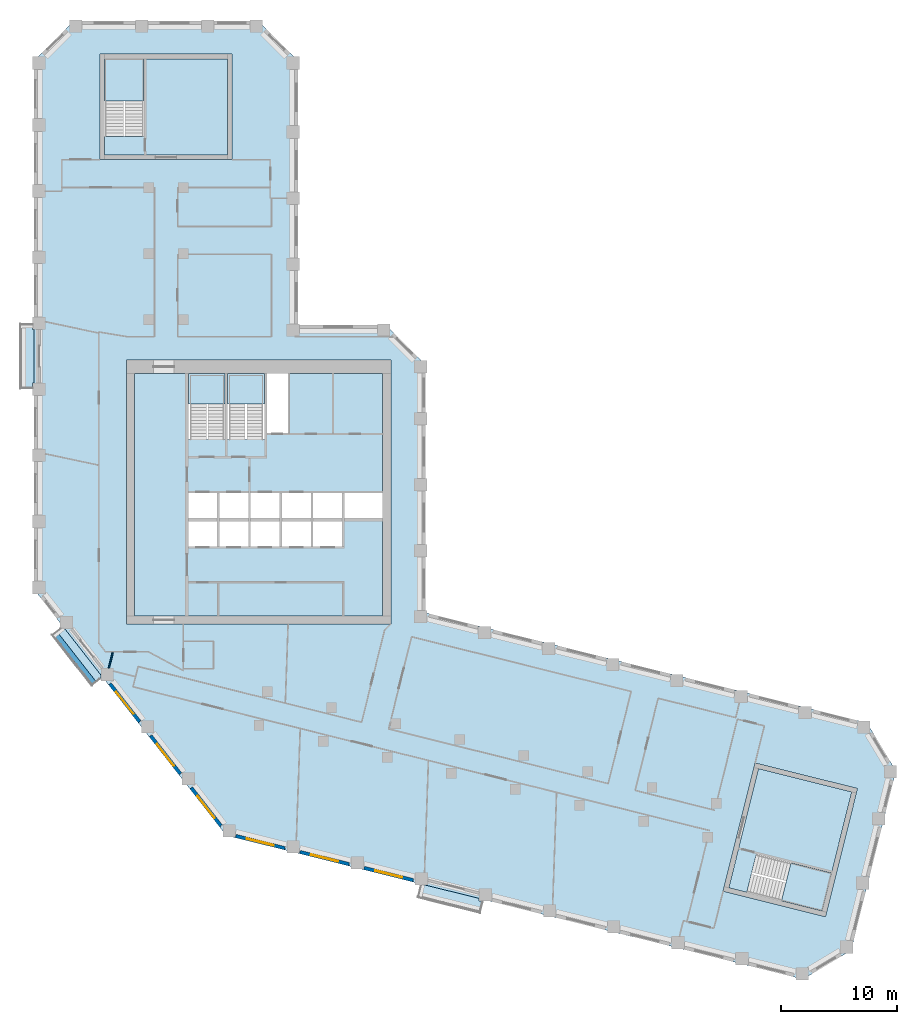
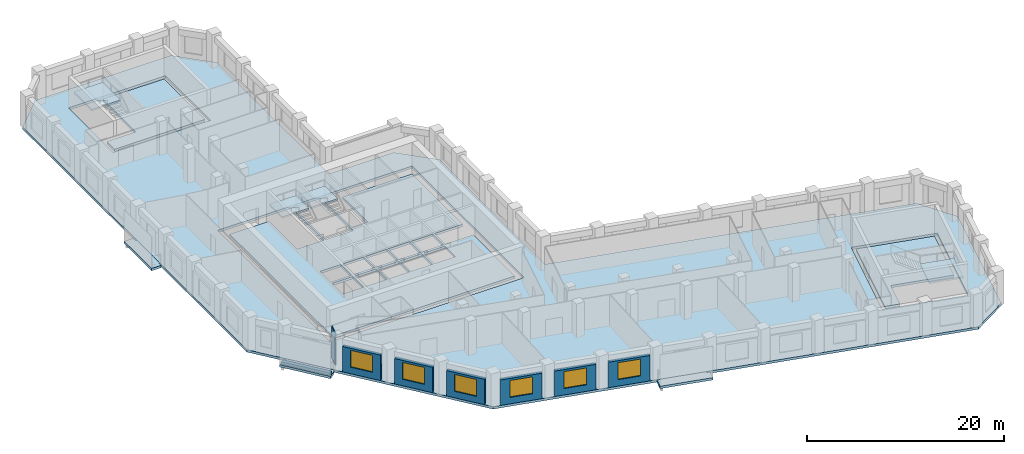
# One storey, part 2 of 10: 11 slabs, 8 walls, 6 windows, 6 openings, 4 elements without a shape of their own.
"""IFC4 building model written with IfcOpenShell, lengths in metres."""

from ifc_helpers import new_model, si_unit, direction, frame, frame_2d, origin, place, context, subcontext, project, spatial, polyline, rectangle, outline, extrude, material, layer, layer_set, type_object, element, fill, aggregate, save


model = new_model("IFC4")

# Units and contexts
model_context = context("Model", 3, precision=1e-05, world=origin(), true_north=direction((0.0, 1.0)))
body_context = subcontext(model_context, "Body", "Model", "MODEL_VIEW")
ifc_project = project(units=[si_unit("LENGTHUNIT", "METRE"), si_unit("AREAUNIT", "SQUARE_METRE"), si_unit("VOLUMEUNIT", "CUBIC_METRE"), si_unit("PLANEANGLEUNIT", "RADIAN"), si_unit("MASSUNIT", "GRAM", prefix="KILO")], contexts=[model_context])

# Site, building, storey
site_placement = place(None, origin())
site = spatial("IfcSite", under=ifc_project, at=site_placement, CompositionType="ELEMENT")
building_placement = place(site_placement, origin())
building = spatial("IfcBuilding", under=site, at=building_placement, Name="Meshkara Civic Tower", CompositionType="ELEMENT")
storey_placement = place(building_placement, frame((0.0, 0.0, 250.800048828125)))
storey = spatial("IfcBuildingStorey", under=building, at=storey_placement, Name="L57", CompositionType="ELEMENT", Elevation=250.800048828125)

# Slabs
ifc_material_1 = material(Name="Concrete C40", Category="concrete")
ifc_layer_1 = layer(ifc_material_1, 0.300048828125)
ifc_layer_set_1 = layer_set([ifc_layer_1], Name="BALCONY SLAB")
slab_type_1 = type_object("IfcSlabType", Name="BALCONY SLAB", PredefinedType="FLOOR", material=ifc_layer_set_1)
slab_1_placement = place(storey_placement, frame((0.0, 0.0, -0.300048828125)))
element("IfcSlab", 1, at=slab_1_placement, inside=storey, type_object=slab_type_1, Name="Balcony slab", PredefinedType="FLOOR", context=body_context, shape_type="SweptSolid", body=[
    extrude(outline(polyline([(-1.199951171875, 34.4150390625), (-1.199951171875, 39.9951171875), (-0.10009765625, 39.9951171875), (-0.10009765625, 39.5048828125), (0.0, 39.5048828125), (0.0, 34.905029296875), (-0.10009765625, 34.905029296875), (-0.10009765625, 34.4150390625), (-1.199951171875, 34.4150390625)])), origin(), (0.0, 0.0, 1.0), 0.300048828125),
])
slab_2_placement = place(storey_placement, frame((0.0, 0.0, -0.300048828125)))
element("IfcSlab", 2, at=slab_2_placement, inside=storey, type_object=slab_type_1, Name="Balcony slab", PredefinedType="FLOOR", context=body_context, shape_type="SweptSolid", body=[
    extrude(outline(polyline([(4.986083984375, 8.76904296875), (1.551025390625, 13.166015625), (2.263916015625, 13.722900390625), (2.263916015625, 13.678955078125), (2.673095703125, 13.678955078125), (5.77294921875, 9.7109375), (5.77294921875, 9.383056640625), (4.986083984375, 8.76904296875)])), origin(), (0.0, 0.0, 1.0), 0.300048828125),
])
slab_3_placement = place(storey_placement, frame((0.0, 0.0, -0.300048828125)))
element("IfcSlab", 3, at=slab_3_placement, inside=storey, type_object=slab_type_1, Name="Balcony slab", PredefinedType="FLOOR", context=body_context, shape_type="SweptSolid", body=[
    extrude(outline(polyline([(38.51708984375, -10.840087890625), (33.10205078125, -9.489990234375), (33.367919921875, -8.425048828125), (33.791015625, -8.425048828125), (38.424072265625, -9.580078125), (38.424072265625, -9.802978515625), (38.77490234375, -9.802978515625), (38.51708984375, -10.840087890625)])), origin(), (0.0, 0.0, 1.0), 0.300048828125),
])
ifc_material_2 = material(Name="Concrete C40/50", Category="concrete")
ifc_layer_2 = layer(ifc_material_2, 0.300048828125)
ifc_layer_set_2 = layer_set([ifc_layer_2], Name="Core floor slab 300 C40/50")
slab_type_2 = type_object("IfcSlabType", Name="Core floor slab 300 C40/50", PredefinedType="FLOOR", material=ifc_layer_set_2)
slab_4_placement = place(storey_placement, frame((0.0, 0.0, -0.300048828125)))
element("IfcSlab", 4, at=slab_4_placement, inside=storey, type_object=slab_type_2, Name="Core floor K", PredefinedType="FLOOR", context=body_context, shape_type="SweptSolid", body=[
    extrude(outline(polyline([(8.699951171875, 35.699951171875), (13.35009765625, 35.699951171875), (13.35009765625, 30.00146484375), (16.5, 30.00146484375), (16.5, 35.699951171875), (16.699951171875, 35.699951171875), (16.699951171875, 30.00146484375), (19.89990234375, 30.00146484375), (19.89990234375, 35.699951171875), (20.10009765625, 35.699951171875), (20.10009765625, 30.574951171875), (21.925048828125, 30.574951171875), (21.925048828125, 35.699951171875), (30.10009765625, 35.699951171875), (30.10009765625, 25.39990234375), (26.800048828125, 25.39990234375), (26.800048828125, 23.25), (30.10009765625, 23.25), (30.10009765625, 14.800048828125), (8.699951171875, 14.800048828125), (8.699951171875, 35.699951171875)]), holes=[polyline([(15.800048828125, 22.949951171875), (13.35009765625, 22.949951171875), (13.35009765625, 20.800048828125), (15.800048828125, 20.800048828125), (15.800048828125, 22.949951171875)]), polyline([(16.0, 22.949951171875), (16.0, 20.800048828125), (18.5, 20.800048828125), (18.5, 22.949951171875), (16.0, 22.949951171875)]), polyline([(18.699951171875, 22.949951171875), (18.699951171875, 20.800048828125), (21.199951171875, 20.800048828125), (21.199951171875, 22.949951171875), (18.699951171875, 22.949951171875)]), polyline([(15.800048828125, 23.25), (15.800048828125, 25.39990234375), (13.35009765625, 25.39990234375), (13.35009765625, 23.25), (15.800048828125, 23.25)]), polyline([(16.0, 25.39990234375), (16.0, 23.25), (18.5, 23.25), (18.5, 25.39990234375), (16.0, 25.39990234375)]), polyline([(23.89990234375, 20.800048828125), (23.89990234375, 22.949951171875), (21.39990234375, 22.949951171875), (21.39990234375, 20.800048828125), (23.89990234375, 20.800048828125)]), polyline([(24.10009765625, 20.800048828125), (26.60009765625, 20.800048828125), (26.60009765625, 22.949951171875), (24.10009765625, 22.949951171875), (24.10009765625, 20.800048828125)]), polyline([(18.699951171875, 25.39990234375), (18.699951171875, 23.25), (21.199951171875, 23.25), (21.199951171875, 25.39990234375), (18.699951171875, 25.39990234375)]), polyline([(21.39990234375, 23.25), (23.89990234375, 23.25), (23.89990234375, 25.39990234375), (21.39990234375, 25.39990234375), (21.39990234375, 23.25)]), polyline([(24.10009765625, 23.25), (26.60009765625, 23.25), (26.60009765625, 25.39990234375), (24.10009765625, 25.39990234375), (24.10009765625, 23.25)])]), origin(), (0.0, 0.0, 1.0), 0.300048828125),
])
slab_5_placement = place(storey_placement, frame((0.0, 0.0, -0.300048828125)))
element("IfcSlab", 5, at=slab_5_placement, inside=storey, type_object=slab_type_2, Name="Core floor EA", PredefinedType="FLOOR", context=body_context, shape_type="SweptSolid", body=[
    extrude(outline(polyline([(16.699951171875, 54.570068359375), (16.699951171875, 62.8701171875), (9.5, 62.8701171875), (9.5, 56.17138671875), (6.10009765625, 56.17138671875), (6.10009765625, 54.570068359375), (16.699951171875, 54.570068359375)])), origin(), (0.0, 0.0, 1.0), 0.300048828125),
])
slab_6_placement = place(storey_placement, frame((0.0, 0.0, -0.300048828125)))
element("IfcSlab", 6, at=slab_6_placement, inside=storey, type_object=slab_type_2, Name="Core floor EB", PredefinedType="FLOOR", context=body_context, shape_type="SweptSolid", body=[
    extrude(outline(polyline([(62.519775390625, 1.623291015625), (70.5732421875, -0.384765625), (68.83154296875, -7.370849609375), (62.33203125, -5.750244140625), (61.50927734375, -9.04931640625), (59.95556640625, -8.661865234375), (62.519775390625, 1.623291015625)])), origin(), (0.0, 0.0, 1.0), 0.300048828125),
])

# Stair, slab
ifc_material_3 = material(Name="Precast concrete C40/50", Category="concrete")
stair_type_1 = type_object("IfcStairType", Name="Exit stair half-turn 24 risers precast", PredefinedType="HALF_TURN_STAIR", material=ifc_material_3)
stair_1_placement = place(storey_placement, origin())
stair_1 = element("IfcStair", 7, at=stair_1_placement, inside=storey, type_object=stair_type_1, Name="L57 exit stair 1", PredefinedType="HALF_TURN_STAIR")
ifc_material_4 = material(Name="Precast concrete C40/50", Category="concrete")
ifc_layer_3 = layer(ifc_material_4, 0.199951171875)
ifc_layer_set_3 = layer_set([ifc_layer_3], Name="Exit stair landing 200")
slab_type_3 = type_object("IfcSlabType", Name="Exit stair landing 200", PredefinedType="LANDING", material=ifc_layer_set_3)
slab_7_placement = place(storey_placement, frame((0.0, 0.0, 1.89990234375)))
slab_7 = element("IfcSlab", 8, at=slab_7_placement, type_object=slab_type_3, Name="ST1 landing 1", PredefinedType="LANDING", context=body_context, shape_type="SweptSolid", body=[
    extrude(outline(polyline([(16.5, 33.07861328125), (16.5, 35.699951171875), (13.35009765625, 35.699951171875), (13.35009765625, 33.07861328125), (16.5, 33.07861328125)])), origin(), (0.0, 0.0, 1.0), 0.199951171875),
])
aggregate(stair_1, [slab_7])

stair_2_placement = place(storey_placement, origin())
stair_2 = element("IfcStair", 9, at=stair_2_placement, inside=storey, type_object=stair_type_1, Name="L57 exit stair 2", PredefinedType="HALF_TURN_STAIR")
slab_8_placement = place(storey_placement, frame((0.0, 0.0, 1.89990234375)))
slab_8 = element("IfcSlab", 10, at=slab_8_placement, type_object=slab_type_3, Name="ST2 landing 1", PredefinedType="LANDING", context=body_context, shape_type="SweptSolid", body=[
    extrude(outline(polyline([(19.89990234375, 33.07861328125), (19.89990234375, 35.699951171875), (16.699951171875, 35.699951171875), (16.699951171875, 33.07861328125), (19.89990234375, 33.07861328125)])), origin(), (0.0, 0.0, 1.0), 0.199951171875),
])
aggregate(stair_2, [slab_8])

ifc_material_5 = material(Name="Precast concrete C40/50", Category="concrete")
stair_type_2 = type_object("IfcStairType", Name="Exit stair half-turn 24 risers 1600 precast", PredefinedType="HALF_TURN_STAIR", material=ifc_material_5)
stair_3_placement = place(storey_placement, origin())
stair_3 = element("IfcStair", 11, at=stair_3_placement, inside=storey, type_object=stair_type_2, Name="L57 exit stair A from L50", PredefinedType="HALF_TURN_STAIR")
slab_9_placement = place(storey_placement, frame((0.0, 0.0, 1.89990234375)))
slab_9 = element("IfcSlab", 12, at=slab_9_placement, type_object=slab_type_3, Name="ESA4 landing 1", PredefinedType="LANDING", context=body_context, shape_type="SweptSolid", body=[
    extrude(outline(polyline([(9.5, 59.24853515625), (9.5, 62.8701171875), (6.10009765625, 62.8701171875), (6.10009765625, 59.24853515625), (9.5, 59.24853515625)])), origin(), (0.0, 0.0, 1.0), 0.199951171875),
])
aggregate(stair_3, [slab_9])

stair_4_placement = place(storey_placement, origin())
stair_4 = element("IfcStair", 13, at=stair_4_placement, inside=storey, type_object=stair_type_2, Name="L57 exit stair B from L50", PredefinedType="HALF_TURN_STAIR")
slab_10_placement = place(storey_placement, frame((0.0, 0.0, 1.89990234375)))
slab_10 = element("IfcSlab", 14, at=slab_10_placement, type_object=slab_type_3, Name="ESB4 landing 1", PredefinedType="LANDING", context=body_context, shape_type="SweptSolid", body=[
    extrude(outline(polyline([(64.49462890625, -9.794677734375), (68.0087890625, -10.67138671875), (68.83203125, -7.371337890625), (65.318115234375, -6.49462890625), (64.49462890625, -9.794677734375)])), origin(), (0.0, 0.0, 1.0), 0.199951171875),
])
aggregate(stair_4, [slab_10])

# Slab
ifc_material_6 = material(Name="Concrete C50", Category="concrete")
ifc_layer_4 = layer(ifc_material_6, 0.300048828125)
ifc_layer_set_4 = layer_set([ifc_layer_4], Name="Post-tensioned flat slab 300 C50")
slab_type_4 = type_object("IfcSlabType", Name="Post-tensioned flat slab 300 C50", PredefinedType="FLOOR", material=ifc_layer_set_4)
slab_11_placement = place(storey_placement, frame((0.0, 0.0, -0.300048828125)))
element("IfcSlab", 15, at=slab_11_placement, inside=storey, type_object=slab_type_4, Name="Post-tensioned flat slab L57", PredefinedType="FLOOR", context=body_context, shape_type="SweptSolid", body=[
    extrude(outline(polyline([(70.513916015625, -14.055908203125), (66.367919921875, -16.547119140625), (16.592041015625, -4.136962890625), (0.0, 17.10009765625), (0.0, 62.699951171875), (3.419921875, 66.1201171875), (19.3798828125, 66.1201171875), (22.800048828125, 62.699951171875), (22.800048828125, 39.89990234375), (30.3798828125, 39.89990234375), (33.800048828125, 36.47998046875), (33.800048828125, 15.071044921875), (71.884033203125, 5.574951171875), (74.375, 1.429931640625), (70.513916015625, -14.055908203125)]), holes=[polyline([(68.300048828125, -11.155029296875), (71.05810546875, -0.093017578125), (62.22802734375, 2.10791015625), (59.470947265625, -8.952880859375), (68.300048828125, -11.155029296875)]), polyline([(8.0, 14.10009765625), (30.800048828125, 14.10009765625), (30.800048828125, 36.89990234375), (8.0, 36.89990234375), (8.0, 14.10009765625)]), polyline([(5.699951171875, 63.27001953125), (5.699951171875, 54.169921875), (17.10009765625, 54.169921875), (17.10009765625, 63.27001953125), (5.699951171875, 63.27001953125)])]), origin(), (0.0, 0.0, 1.0), 0.300048828125),
])

# Wall, opening, window
ifc_material_7 = material(Name="Insulated infill panel with bronze anodised aluminium cladding", Category="aluminium")
ifc_layer_5 = layer(ifc_material_7, 0.300048828125)
ifc_layer_set_5 = layer_set([ifc_layer_5], Name="EXTERNAL INFILL WALL 300")
wall_type_1 = type_object("IfcWallType", Name="EXTERNAL INFILL WALL 300", PredefinedType="SOLIDWALL", material=ifc_layer_set_5)
wall_1_placement = place(storey_placement, frame((6.56201171875, 8.944091796875, 0.0), z_axis=(0.0, 0.0, 1.0), x_axis=(0.615699893917, -0.787980736205, 0.0)))
wall_1 = element("IfcWall", 16, at=wall_1_placement, inside=storey, type_object=wall_type_1, Name="External wall", PredefinedType="SOLIDWALL", context=body_context, shape_type="SweptSolid", body=[
    extrude(rectangle(XDim=4.156494140625, YDim=0.300048828125, at=frame_2d((2.078125, 0.0))), origin(), (0.0, 0.0, 1.0), 3.14990234375),
])
opening_1_placement = place(wall_1_placement, frame((0.8779296875, 0.0, 0.800048828125)))
opening_1 = element("IfcOpeningElement", 17, at=opening_1_placement, cuts=wall_1, Name="Opening W7", PredefinedType="OPENING", context=body_context, shape_type="SweptSolid", body=[
    extrude(rectangle(XDim=2.39990234375, YDim=2.10009765625, at=frame_2d((1.199951171875, 1.050048828125))), frame((0.0, 0.159912109375, 0.0), z_axis=(0.0, -1.0, 0.0), x_axis=(1.0, 0.0, 0.0)), (0.0, 0.0, 1.0), 0.320068359375),
])
ifc_material_8 = material(Name="Tinted double glazing", Category="glass")
window_type = type_object("IfcWindowType", Name="WINDOW 2400x2100", PartitioningType="DOUBLE_PANEL_VERTICAL", PredefinedType="WINDOW", material=ifc_material_8)
window_1_placement = place(opening_1_placement, origin())
window_1 = element("IfcWindow", 18, at=window_1_placement, inside=storey, type_object=window_type, Name="Window", OverallHeight=2.10009765625, OverallWidth=2.39990234375, PartitioningType="DOUBLE_PANEL_VERTICAL", PredefinedType="WINDOW", context=body_context, shape_type="SweptSolid", body=[
    extrude(rectangle(XDim=2.39990234375, YDim=2.10009765625, at=frame_2d((1.199951171875, 1.050048828125))), frame((0.0, 0.030029296875, 0.0), z_axis=(0.0, -1.0, 0.0), x_axis=(1.0, 0.0, 0.0)), (0.0, 0.0, 1.0), 0.06005859375),
])
fill(opening_1, window_1)

wall_2_placement = place(storey_placement, frame((10.072021484375, 4.451904296875, 0.0), z_axis=(0.0, 0.0, 1.0), x_axis=(0.615660006568, -0.788011901124, 0.0)))
wall_2 = element("IfcWall", 19, at=wall_2_placement, inside=storey, type_object=wall_type_1, Name="External wall", PredefinedType="SOLIDWALL", context=body_context, shape_type="SweptSolid", body=[
    extrude(rectangle(XDim=4.15478515625, YDim=0.300048828125, at=frame_2d((2.077392578125, 0.0))), origin(), (0.0, 0.0, 1.0), 3.14990234375),
])
opening_2_placement = place(wall_2_placement, frame((0.8779296875, 0.0, 0.800048828125)))
opening_2 = element("IfcOpeningElement", 20, at=opening_2_placement, cuts=wall_2, Name="Opening W7", PredefinedType="OPENING", context=body_context, shape_type="SweptSolid", body=[
    extrude(rectangle(XDim=2.39990234375, YDim=2.10009765625, at=frame_2d((1.199951171875, 1.050048828125))), frame((0.0, 0.159912109375, 0.0), z_axis=(0.0, -1.0, 0.0), x_axis=(1.0, 0.0, 0.0)), (0.0, 0.0, 1.0), 0.320068359375),
])
window_2_placement = place(opening_2_placement, origin())
window_2 = element("IfcWindow", 21, at=window_2_placement, inside=storey, type_object=window_type, Name="Window", OverallHeight=2.10009765625, OverallWidth=2.39990234375, PartitioningType="DOUBLE_PANEL_VERTICAL", PredefinedType="WINDOW", context=body_context, shape_type="SweptSolid", body=[
    extrude(rectangle(XDim=2.39990234375, YDim=2.10009765625, at=frame_2d((1.199951171875, 1.050048828125))), frame((0.0, 0.030029296875, 0.0), z_axis=(0.0, -1.0, 0.0), x_axis=(1.0, 0.0, 0.0)), (0.0, 0.0, 1.0), 0.06005859375),
])
fill(opening_2, window_2)

wall_3_placement = place(storey_placement, frame((13.5810546875, -0.0390625, 0.0), z_axis=(0.0, 0.0, 1.0), x_axis=(0.615545986363, -0.788100969846, 0.0)))
wall_3 = element("IfcWall", 22, at=wall_3_placement, inside=storey, type_object=wall_type_1, Name="External wall", PredefinedType="SOLIDWALL", context=body_context, shape_type="SweptSolid", body=[
    extrude(rectangle(XDim=4.155517578125, YDim=0.300048828125, at=frame_2d((2.07763671875, 0.0))), origin(), (0.0, 0.0, 1.0), 3.14990234375),
])
opening_3_placement = place(wall_3_placement, frame((0.8779296875, 0.0, 0.800048828125)))
opening_3 = element("IfcOpeningElement", 23, at=opening_3_placement, cuts=wall_3, Name="Opening W7", PredefinedType="OPENING", context=body_context, shape_type="SweptSolid", body=[
    extrude(rectangle(XDim=2.39990234375, YDim=2.10009765625, at=frame_2d((1.199951171875, 1.050048828125))), frame((0.0, 0.159912109375, 0.0), z_axis=(0.0, -1.0, 0.0), x_axis=(1.0, 0.0, 0.0)), (0.0, 0.0, 1.0), 0.320068359375),
])
window_3_placement = place(opening_3_placement, origin())
window_3 = element("IfcWindow", 24, at=window_3_placement, inside=storey, type_object=window_type, Name="Window", OverallHeight=2.10009765625, OverallWidth=2.39990234375, PartitioningType="DOUBLE_PANEL_VERTICAL", PredefinedType="WINDOW", context=body_context, shape_type="SweptSolid", body=[
    extrude(rectangle(XDim=2.39990234375, YDim=2.10009765625, at=frame_2d((1.199951171875, 1.050048828125))), frame((0.0, 0.030029296875, 0.0), z_axis=(0.0, -1.0, 0.0), x_axis=(1.0, 0.0, 0.0)), (0.0, 0.0, 1.0), 0.06005859375),
])
fill(opening_3, window_3)

wall_4_placement = place(storey_placement, frame((17.425048828125, -4.18994140625, 0.0), z_axis=(0.0, 0.0, 1.0), x_axis=(0.970270592847, -0.242022677978, 0.0)))
wall_4 = element("IfcWall", 25, at=wall_4_placement, inside=storey, type_object=wall_type_1, Name="External wall", PredefinedType="SOLIDWALL", context=body_context, shape_type="SweptSolid", body=[
    extrude(rectangle(XDim=4.367919921875, YDim=0.300048828125, at=frame_2d((2.18408203125, 0.0))), origin(), (0.0, 0.0, 1.0), 3.14990234375),
])
opening_4_placement = place(wall_4_placement, frame((0.98291015625, 0.0, 0.800048828125)))
opening_4 = element("IfcOpeningElement", 26, at=opening_4_placement, cuts=wall_4, Name="Opening W7", PredefinedType="OPENING", context=body_context, shape_type="SweptSolid", body=[
    extrude(rectangle(XDim=2.39990234375, YDim=2.10009765625, at=frame_2d((1.199951171875, 1.050048828125))), frame((0.0, 0.159912109375, 0.0), z_axis=(0.0, -1.0, 0.0), x_axis=(1.0, 0.0, 0.0)), (0.0, 0.0, 1.0), 0.320068359375),
])
window_4_placement = place(opening_4_placement, origin())
window_4 = element("IfcWindow", 27, at=window_4_placement, inside=storey, type_object=window_type, Name="Window", OverallHeight=2.10009765625, OverallWidth=2.39990234375, PartitioningType="DOUBLE_PANEL_VERTICAL", PredefinedType="WINDOW", context=body_context, shape_type="SweptSolid", body=[
    extrude(rectangle(XDim=2.39990234375, YDim=2.10009765625, at=frame_2d((1.199951171875, 1.050048828125))), frame((0.0, 0.030029296875, 0.0), z_axis=(0.0, -1.0, 0.0), x_axis=(1.0, 0.0, 0.0)), (0.0, 0.0, 1.0), 0.06005859375),
])
fill(opening_4, window_4)

wall_5_placement = place(storey_placement, frame((22.9560546875, -5.569091796875, 0.0), z_axis=(0.0, 0.0, 1.0), x_axis=(0.970323116569, -0.241812012628, 0.0)))
wall_5 = element("IfcWall", 28, at=wall_5_placement, inside=storey, type_object=wall_type_1, Name="External wall", PredefinedType="SOLIDWALL", context=body_context, shape_type="SweptSolid", body=[
    extrude(rectangle(XDim=4.36669921875, YDim=0.300048828125, at=frame_2d((2.183349609375, 0.0))), origin(), (0.0, 0.0, 1.0), 3.14990234375),
])
opening_5_placement = place(wall_5_placement, frame((0.98291015625, 0.0, 0.800048828125)))
opening_5 = element("IfcOpeningElement", 29, at=opening_5_placement, cuts=wall_5, Name="Opening W7", PredefinedType="OPENING", context=body_context, shape_type="SweptSolid", body=[
    extrude(rectangle(XDim=2.39990234375, YDim=2.10009765625, at=frame_2d((1.199951171875, 1.050048828125))), frame((0.0, 0.159912109375, 0.0), z_axis=(0.0, -1.0, 0.0), x_axis=(1.0, 0.0, 0.0)), (0.0, 0.0, 1.0), 0.320068359375),
])
window_5_placement = place(opening_5_placement, origin())
window_5 = element("IfcWindow", 30, at=window_5_placement, inside=storey, type_object=window_type, Name="Window", OverallHeight=2.10009765625, OverallWidth=2.39990234375, PartitioningType="DOUBLE_PANEL_VERTICAL", PredefinedType="WINDOW", context=body_context, shape_type="SweptSolid", body=[
    extrude(rectangle(XDim=2.39990234375, YDim=2.10009765625, at=frame_2d((1.199951171875, 1.050048828125))), frame((0.0, 0.030029296875, 0.0), z_axis=(0.0, -1.0, 0.0), x_axis=(1.0, 0.0, 0.0)), (0.0, 0.0, 1.0), 0.06005859375),
])
fill(opening_5, window_5)

wall_6_placement = place(storey_placement, frame((28.486083984375, -6.947998046875, 0.0), z_axis=(0.0, 0.0, 1.0), x_axis=(0.970336189295, -0.241759549438, 0.0)))
wall_6 = element("IfcWall", 31, at=wall_6_placement, inside=storey, type_object=wall_type_1, Name="External wall", PredefinedType="SOLIDWALL", context=body_context, shape_type="SweptSolid", body=[
    extrude(rectangle(XDim=4.36767578125, YDim=0.300048828125, at=frame_2d((2.183837890625, 0.0))), origin(), (0.0, 0.0, 1.0), 3.14990234375),
])
opening_6_placement = place(wall_6_placement, frame((0.98291015625, 0.0, 0.800048828125)))
opening_6 = element("IfcOpeningElement", 32, at=opening_6_placement, cuts=wall_6, Name="Opening W7", PredefinedType="OPENING", context=body_context, shape_type="SweptSolid", body=[
    extrude(rectangle(XDim=2.39990234375, YDim=2.10009765625, at=frame_2d((1.199951171875, 1.050048828125))), frame((0.0, 0.159912109375, 0.0), z_axis=(0.0, -1.0, 0.0), x_axis=(1.0, 0.0, 0.0)), (0.0, 0.0, 1.0), 0.320068359375),
])
window_6_placement = place(opening_6_placement, origin())
window_6 = element("IfcWindow", 33, at=window_6_placement, inside=storey, type_object=window_type, Name="Window", OverallHeight=2.10009765625, OverallWidth=2.39990234375, PartitioningType="DOUBLE_PANEL_VERTICAL", PredefinedType="WINDOW", context=body_context, shape_type="SweptSolid", body=[
    extrude(rectangle(XDim=2.39990234375, YDim=2.10009765625, at=frame_2d((1.199951171875, 1.050048828125))), frame((0.0, 0.030029296875, 0.0), z_axis=(0.0, -1.0, 0.0), x_axis=(1.0, 0.0, 0.0)), (0.0, 0.0, 1.0), 0.06005859375),
])
fill(opening_6, window_6)

# Walls
ifc_material_9 = material(Name="Concrete C40", Category="concrete")
ifc_layer_6 = layer(ifc_material_9, 0.39990234375)
ifc_layer_set_6 = layer_set([ifc_layer_6], Name="PLANTER TRAY")
wall_type_2 = type_object("IfcWallType", Name="PLANTER TRAY", PredefinedType="SOLIDWALL", material=ifc_layer_set_6)
wall_7_placement = place(storey_placement, frame((1.87109375, 13.27587890625, 0.0), z_axis=(0.0, 0.0, 1.0), x_axis=(0.615632551218, -0.788033350741, 0.0)))
element("IfcWall", 34, at=wall_7_placement, inside=storey, type_object=wall_type_2, Name="Planter", PredefinedType="SOLIDWALL", context=body_context, shape_type="SweptSolid", body=[
    extrude(rectangle(XDim=5.360107421875, YDim=0.39990234375, at=frame_2d((2.68017578125, 0.0))), origin(), (0.0, 0.0, 1.0), 0.300048828125),
])
ifc_material_10 = material(Name="Partition 100")
ifc_layer_7 = layer(ifc_material_10, 0.10009765625)
ifc_layer_set_7 = layer_set([ifc_layer_7], Name="Partition 100")
wall_type_3 = type_object("IfcWallType", Name="Partition 100", PredefinedType="PARTITIONING", material=ifc_layer_set_7)
wall_8_placement = place(storey_placement, frame((6.797119140625, 11.637939453125, 0.0), z_axis=(0.0, 0.0, 1.0), x_axis=(-0.242164268782, -0.970235263699, 0.0)))
element("IfcWall", 35, at=wall_8_placement, inside=storey, type_object=wall_type_3, Name="L57-W048", PredefinedType="PARTITIONING", context=body_context, shape_type="SweptSolid", body=[
    extrude(rectangle(XDim=1.392333984375, YDim=0.10009765625, at=frame_2d((0.6962890625, 0.0))), origin(), (0.0, 0.0, 1.0), 3.89990234375),
])

save(model, "model.ifc")
